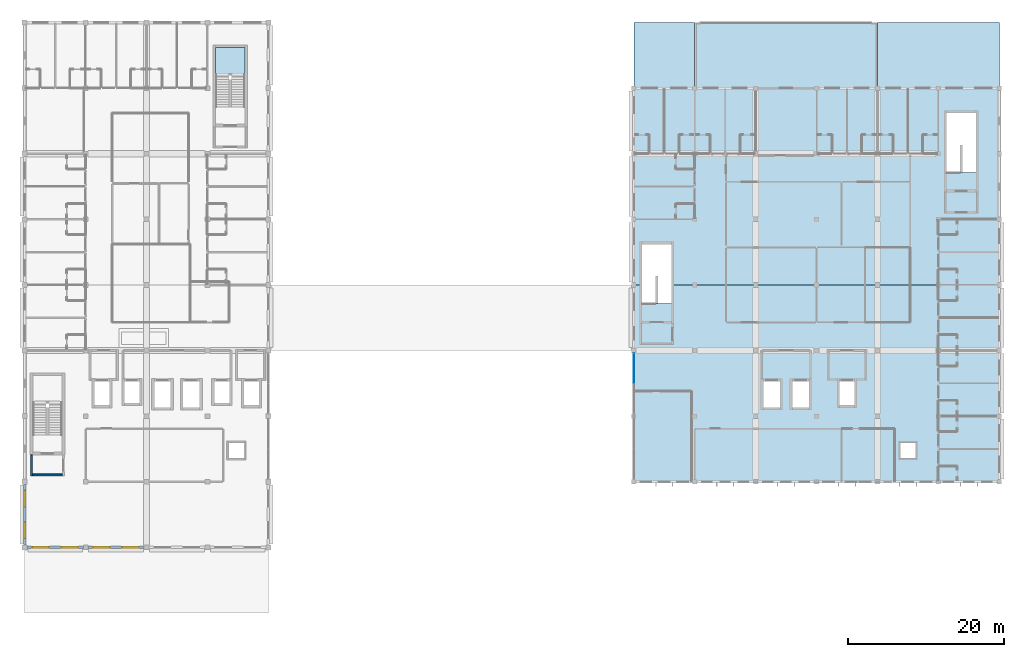
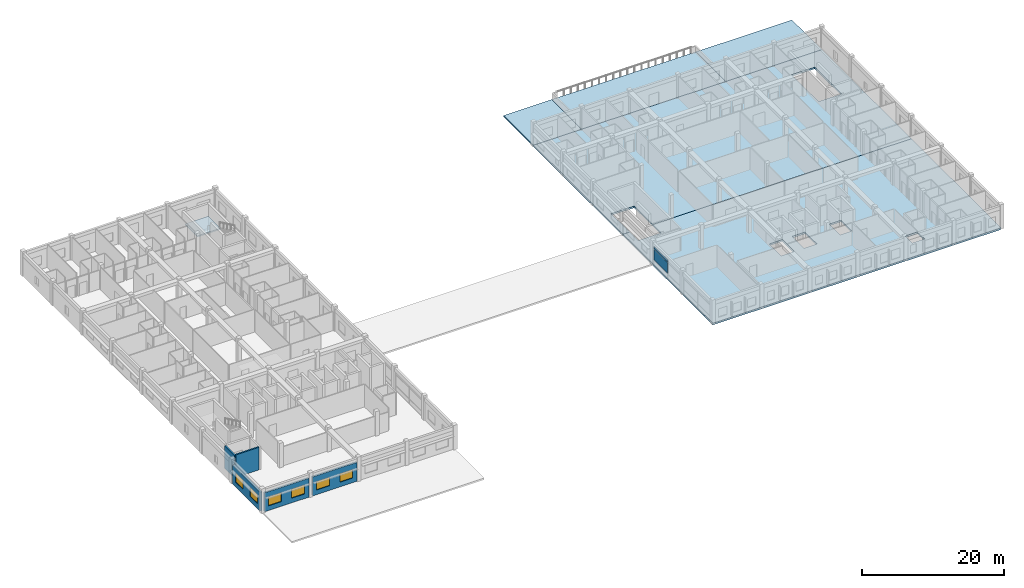
# One storey, part 12 of 32: 6 slabs, 6 windows, 5 walls, 2 plates, 6 openings, 2 elements without a shape of their own.
"""IFC4 building model written with IfcOpenShell, lengths in metres."""

from ifc_helpers import new_model, si_unit, direction, frame, frame_2d, origin, origin_2d, place, context, subcontext, project, spatial, polyline, rectangle, outline, extrude, material, layer, layer_set, type_object, element, fill, aggregate, save


model = new_model("IFC4")

# Units and contexts
model_context = context("Model", 3, precision=1e-05, world=origin(), true_north=direction((0.0, 1.0)))
body_context = subcontext(model_context, "Body", "Model", "MODEL_VIEW")
ifc_project = project(units=[si_unit("LENGTHUNIT", "METRE"), si_unit("AREAUNIT", "SQUARE_METRE"), si_unit("VOLUMEUNIT", "CUBIC_METRE"), si_unit("PLANEANGLEUNIT", "RADIAN"), si_unit("MASSUNIT", "GRAM", prefix="KILO"), si_unit("THERMODYNAMICTEMPERATUREUNIT", "KELVIN"), si_unit("POWERUNIT", "WATT")], contexts=[model_context])

# Site, building, storey
site_placement = place(None, origin())
site = spatial("IfcSite", under=ifc_project, at=site_placement, CompositionType="ELEMENT")
building_placement = place(site_placement, origin())
building = spatial("IfcBuilding", under=site, at=building_placement, Name="Srebrne Nadtorze General Hospital", CompositionType="ELEMENT")
storey_placement = place(building_placement, frame((0.0, 0.0, 29.699951171875)))
storey = spatial("IfcBuildingStorey", under=building, at=storey_placement, Name="L07", CompositionType="ELEMENT", Elevation=29.699951171875)

# Curtain wall, plates
ifc_material_1 = material(Name="Anodised Aluminium", Category="aluminium")
curtain_wall_type = type_object("IfcCurtainWallType", Name="Unitised curtain wall 7800x3250", PredefinedType="NOTDEFINED", material=ifc_material_1)
curtain_wall_placement = place(storey_placement, origin())
curtain_wall = element("IfcCurtainWall", 1, at=curtain_wall_placement, inside=storey, type_object=curtain_wall_type, Name="Curtain wall CW-157", PredefinedType="NOTDEFINED")
ifc_material_2 = material(Name="Triple Low-E Glazing", Category="glass")
ifc_layer_1 = layer(ifc_material_2, 0.050048828125)
ifc_layer_set_1 = layer_set([ifc_layer_1], Name="Triple Low-E Glazing")
plate_type = type_object("IfcPlateType", Name="Glazed curtain panel 50", PredefinedType="CURTAIN_PANEL", material=ifc_layer_set_1)
plate_1_placement = place(storey_placement, frame((101.39990234375, 48.1337890625, 0.882568359375), z_axis=(0.0, 0.0, 1.0), x_axis=(0.0, 1.0, 0.0)))
plate_1 = element("IfcPlate", 2, at=plate_1_placement, type_object=plate_type, Name="CW-157 panel 2.2", PredefinedType="CURTAIN_PANEL", context=body_context, shape_type="SweptSolid", body=[
    extrude(rectangle(XDim=3.802490234375, YDim=0.050048828125, at=origin_2d()), origin(), (0.0, 0.0, 1.0), 1.8349609375),
])
plate_2_placement = place(storey_placement, frame((101.39990234375, 48.1337890625, 2.78271484375), z_axis=(0.0, 0.0, 1.0), x_axis=(0.0, 1.0, 0.0)))
plate_2 = element("IfcPlate", 3, at=plate_2_placement, type_object=plate_type, Name="CW-157 panel 2.3", PredefinedType="CURTAIN_PANEL", context=body_context, shape_type="SweptSolid", body=[
    extrude(rectangle(XDim=3.802490234375, YDim=0.050048828125, at=origin_2d()), origin(), (0.0, 0.0, 1.0), 0.402587890625),
])
aggregate(curtain_wall, [plate_1, plate_2])

# Slabs
ifc_material_3 = material(Name="Concrete C35/45", Category="concrete")
ifc_layer_2 = layer(ifc_material_3, 0.27001953125)
ifc_layer_set_2 = layer_set([ifc_layer_2], Name="Concrete C35/45")
slab_type_1 = type_object("IfcSlabType", Name="Main roof slab 270", PredefinedType="ROOF", material=ifc_layer_set_2)
slab_1_placement = place(storey_placement, frame((0.0, 0.0, -0.27001953125)))
element("IfcSlab", 4, at=slab_1_placement, inside=storey, type_object=slab_type_1, Name="Volume ceiling roof slab RF-L06-01", PredefinedType="ROOF", context=body_context, shape_type="SweptSolid", body=[
    extrude(outline(polyline([(101.39990234375, 92.39990234375), (101.39990234375, 84.0), (109.199951171875, 84.0), (109.199951171875, 92.39990234375), (101.39990234375, 92.39990234375)])), origin(), (0.0, 0.0, 1.0), 0.27001953125),
])
slab_2_placement = place(storey_placement, frame((0.0, 0.0, -0.27001953125)))
element("IfcSlab", 5, at=slab_2_placement, inside=storey, type_object=slab_type_1, Name="Volume ceiling roof slab RF-L06-02", PredefinedType="ROOF", context=body_context, shape_type="SweptSolid", body=[
    extrude(outline(polyline([(132.60009765625, 92.39990234375), (132.60009765625, 84.0), (148.199951171875, 84.0), (148.199951171875, 92.39990234375), (132.60009765625, 92.39990234375)])), origin(), (0.0, 0.0, 1.0), 0.27001953125),
])

# Stair, slab
ifc_material_4 = material(Name="Concrete C35/45", Category="concrete")
stair_type = type_object("IfcStairType", Name="Dog-leg escape stair 420", PredefinedType="HALF_TURN_STAIR", material=ifc_material_4)
stair_placement = place(storey_placement, origin())
stair = element("IfcStair", 6, at=stair_placement, inside=storey, type_object=stair_type, Name="Escape stair ST-02-L07", PredefinedType="HALF_TURN_STAIR")
ifc_material_5 = material(Name="Concrete C35/45", Category="concrete")
ifc_layer_3 = layer(ifc_material_5, 0.219970703125)
ifc_layer_set_3 = layer_set([ifc_layer_3], Name="Concrete C35/45")
slab_type_2 = type_object("IfcSlabType", Name="Stair landing slab 220", PredefinedType="LANDING", material=ifc_layer_set_3)
slab_3_placement = place(storey_placement, frame((0.0, 0.0, 1.880126953125)))
slab_3 = element("IfcSlab", 7, at=slab_3_placement, type_object=slab_type_2, Name="ST-02 landing 1", PredefinedType="LANDING", context=body_context, shape_type="SweptSolid", body=[
    extrude(outline(polyline([(47.85009765625, 85.760009765625), (51.60009765625, 85.760009765625), (51.60009765625, 89.199951171875), (47.85009765625, 89.199951171875), (47.85009765625, 85.760009765625)])), origin(), (0.0, 0.0, 1.0), 0.219970703125),
])
aggregate(stair, [slab_3])

# Slabs
ifc_material_6 = material(Name="Concrete C35/45", Category="concrete")
ifc_layer_4 = layer(ifc_material_6, 0.300048828125)
ifc_layer_set_4 = layer_set([ifc_layer_4], Name="Concrete C35/45")
slab_type_3 = type_object("IfcSlabType", Name="Suspended floor slab 300", PredefinedType="FLOOR", material=ifc_layer_set_4)
slab_4_placement = place(storey_placement, frame((0.0, 0.0, -0.300048828125)))
element("IfcSlab", 8, at=slab_4_placement, inside=storey, type_object=slab_type_3, Name="Suspended floor slab SL-L07-ES", PredefinedType="FLOOR", context=body_context, shape_type="SweptSolid", body=[
    extrude(outline(polyline([(106.199951171875, 58.800048828125), (106.199951171875, 56.405029296875), (102.449951171875, 56.405029296875), (102.449951171875, 58.800048828125), (101.39990234375, 58.800048828125), (101.39990234375, 33.60009765625), (148.199951171875, 33.60009765625), (148.199951171875, 58.800048828125), (106.199951171875, 58.800048828125)]), holes=[polyline([(137.5, 36.60009765625), (135.5, 36.60009765625), (135.5, 38.60009765625), (137.5, 38.60009765625), (137.5, 36.60009765625)]), polyline([(120.10009765625, 43.110107421875), (118.0, 43.110107421875), (118.0, 46.4599609375), (120.10009765625, 46.4599609375), (120.10009765625, 43.110107421875)]), polyline([(123.800048828125, 43.110107421875), (121.699951171875, 43.110107421875), (121.699951171875, 46.4599609375), (123.800048828125, 46.4599609375), (123.800048828125, 43.110107421875)]), polyline([(129.64990234375, 43.409912109375), (127.75, 43.409912109375), (127.75, 46.4599609375), (129.64990234375, 46.4599609375), (129.64990234375, 43.409912109375)])]), origin(), (0.0, 0.0, 1.0), 0.300048828125),
])
slab_5_placement = place(storey_placement, frame((0.0, 0.0, -0.300048828125)))
element("IfcSlab", 9, at=slab_5_placement, inside=storey, type_object=slab_type_3, Name="Suspended floor slab SL-L07-EN", PredefinedType="FLOOR", context=body_context, shape_type="SweptSolid", body=[
    extrude(outline(polyline([(102.449951171875, 58.800048828125), (102.449951171875, 64.0), (106.199951171875, 64.0), (106.199951171875, 58.800048828125), (148.199951171875, 58.800048828125), (148.199951171875, 84.0), (101.39990234375, 84.0), (101.39990234375, 58.800048828125), (102.449951171875, 58.800048828125)]), holes=[polyline([(145.199951171875, 73.205078125), (141.449951171875, 73.205078125), (141.449951171875, 80.800048828125), (145.199951171875, 80.800048828125), (145.199951171875, 73.205078125)])]), origin(), (0.0, 0.0, 1.0), 0.300048828125),
])
ifc_material_7 = material(Name="Concrete C35/45", Category="concrete")
ifc_layer_5 = layer(ifc_material_7, 0.22998046875)
ifc_layer_set_5 = layer_set([ifc_layer_5], Name="Concrete C35/45")
slab_type_4 = type_object("IfcSlabType", Name="Terrace slab 230", PredefinedType="FLOOR", material=ifc_layer_set_5)
slab_6_placement = place(storey_placement, frame((0.0, 0.0, -0.22998046875)))
element("IfcSlab", 10, at=slab_6_placement, inside=storey, type_object=slab_type_4, Name="Therapeutic Terrace slab TR-L07-E", PredefinedType="FLOOR", context=body_context, shape_type="SweptSolid", body=[
    extrude(outline(polyline([(109.199951171875, 84.0), (132.60009765625, 84.0), (132.60009765625, 92.39990234375), (109.199951171875, 92.39990234375), (109.199951171875, 84.0)])), origin(), (0.0, 0.0, 1.0), 0.22998046875),
])

# Walls
ifc_material_8 = material(Name="Gypsum Healthcare Partition")
ifc_layer_6 = layer(ifc_material_8, 0.239990234375)
ifc_layer_set_6 = layer_set([ifc_layer_6], Name="Gypsum Healthcare Partition")
wall_type_1 = type_object("IfcWallType", Name="Corridor fire wall 240", PredefinedType="STANDARD", material=ifc_layer_set_6)
wall_1_placement = place(storey_placement, frame((24.27490234375, 34.35498046875, 0.0), z_axis=(0.0, 0.0, 1.0), x_axis=(0.0, 1.0, 0.0)))
element("IfcWall", 11, at=wall_1_placement, inside=storey, type_object=wall_type_1, Name="Fire lobby wall ST-01 WL-INT-L07-0413", PredefinedType="STANDARD", context=body_context, shape_type="SweptSolid", body=[
    extrude(rectangle(XDim=2.695068359375, YDim=0.239990234375, at=frame_2d((1.34765625, 0.0))), origin(), (0.0, 0.0, 1.0), 3.900146484375),
])
wall_2_placement = place(storey_placement, frame((24.449951171875, 34.47509765625, 0.0), z_axis=(0.0, 0.0, 1.0), x_axis=(1.0, 0.0, 0.0)))
element("IfcWall", 12, at=wall_2_placement, inside=storey, type_object=wall_type_1, Name="Fire lobby entry wall ST-01 WL-INT-L07-0415", PredefinedType="STANDARD", context=body_context, shape_type="SweptSolid", body=[
    extrude(rectangle(XDim=3.75, YDim=0.239990234375, at=frame_2d((1.875, 0.0))), origin(), (0.0, 0.0, 1.0), 3.900146484375),
])

# Wall, openings, windows
ifc_material_9 = material(Name="Concrete C35/45 precast", Category="concrete")
ifc_layer_7 = layer(ifc_material_9, 0.280029296875)
ifc_layer_set_7 = layer_set([ifc_layer_7], Name="Concrete C35/45 precast")
wall_type_2 = type_object("IfcWallType", Name="Spandrel wall 280", PredefinedType="STANDARD", material=ifc_layer_set_7)
wall_3_placement = place(storey_placement, frame((23.72509765625, 25.199951171875, 0.0), z_axis=(0.0, 0.0, 1.0), x_axis=(1.0, 0.0, 0.0)))
wall_3 = element("IfcWall", 13, at=wall_3_placement, inside=storey, type_object=wall_type_2, Name="Exterior wall WL-ENV-L07-0506", PredefinedType="STANDARD", context=body_context, shape_type="SweptSolid", body=[
    extrude(rectangle(XDim=7.1748046875, YDim=0.280029296875, at=frame_2d((3.58740234375, 0.0))), origin(), (0.0, 0.0, 1.0), 3.25),
])
opening_1_placement = place(wall_3_placement, frame((0.653076171875, 0.0, 0.800048828125)))
opening_1 = element("IfcOpeningElement", 14, at=opening_1_placement, cuts=wall_3, Name="Opening WN-L07-0840", PredefinedType="OPENING", context=body_context, shape_type="SweptSolid", body=[
    extrude(rectangle(XDim=2.10009765625, YDim=1.550048828125, at=frame_2d((1.050048828125, 0.77490234375))), frame((0.0, 0.15185546875, 0.0), z_axis=(0.0, -1.0, 0.0), x_axis=(1.0, 0.0, 0.0)), (0.0, 0.0, 1.0), 0.303955078125),
])
opening_2_placement = place(wall_3_placement, frame((4.39697265625, 0.0, 0.800048828125)))
opening_2 = element("IfcOpeningElement", 15, at=opening_2_placement, cuts=wall_3, Name="Opening WN-L07-0841", PredefinedType="OPENING", context=body_context, shape_type="SweptSolid", body=[
    extrude(rectangle(XDim=2.10009765625, YDim=1.550048828125, at=frame_2d((1.050048828125, 0.77490234375))), frame((0.0, 0.15185546875, 0.0), z_axis=(0.0, -1.0, 0.0), x_axis=(1.0, 0.0, 0.0)), (0.0, 0.0, 1.0), 0.303955078125),
])
ifc_material_10 = material(Name="Triple Low-E Glazing", Category="glass")
window_type_1 = type_object("IfcWindowType", Name="Punched clinical window 2100x1550", PartitioningType="DOUBLE_PANEL_VERTICAL", PredefinedType="WINDOW", material=ifc_material_10)
window_1_placement = place(opening_1_placement, origin())
window_1 = element("IfcWindow", 16, at=window_1_placement, inside=storey, type_object=window_type_1, Name="Clinical window WN-L07-0840", OverallHeight=1.550048828125, OverallWidth=2.10009765625, PartitioningType="DOUBLE_PANEL_VERTICAL", PredefinedType="WINDOW", context=body_context, shape_type="SweptSolid", body=[
    extrude(rectangle(XDim=2.10009765625, YDim=1.550048828125, at=frame_2d((1.050048828125, 0.77490234375))), frame((0.0, 0.030029296875, 0.0), z_axis=(0.0, -1.0, 0.0), x_axis=(1.0, 0.0, 0.0)), (0.0, 0.0, 1.0), 0.06005859375),
])
fill(opening_1, window_1)
window_2_placement = place(opening_2_placement, origin())
window_2 = element("IfcWindow", 17, at=window_2_placement, inside=storey, type_object=window_type_1, Name="Clinical window WN-L07-0841", OverallHeight=1.550048828125, OverallWidth=2.10009765625, PartitioningType="DOUBLE_PANEL_VERTICAL", PredefinedType="WINDOW", context=body_context, shape_type="SweptSolid", body=[
    extrude(rectangle(XDim=2.10009765625, YDim=1.550048828125, at=frame_2d((1.050048828125, 0.77490234375))), frame((0.0, 0.030029296875, 0.0), z_axis=(0.0, -1.0, 0.0), x_axis=(1.0, 0.0, 0.0)), (0.0, 0.0, 1.0), 0.06005859375),
])
fill(opening_2, window_2)

wall_4_placement = place(storey_placement, frame((31.5, 25.199951171875, 0.0), z_axis=(0.0, 0.0, 1.0), x_axis=(1.0, 0.0, 0.0)))
wall_4 = element("IfcWall", 18, at=wall_4_placement, inside=storey, type_object=wall_type_2, Name="Exterior wall WL-ENV-L07-0507", PredefinedType="STANDARD", context=body_context, shape_type="SweptSolid", body=[
    extrude(rectangle(XDim=7.199951171875, YDim=0.280029296875, at=frame_2d((3.60009765625, 0.0))), origin(), (0.0, 0.0, 1.0), 3.25),
])
opening_3_placement = place(wall_4_placement, frame((0.677978515625, 0.0, 0.800048828125)))
opening_3 = element("IfcOpeningElement", 19, at=opening_3_placement, cuts=wall_4, Name="Opening WN-L07-0842", PredefinedType="OPENING", context=body_context, shape_type="SweptSolid", body=[
    extrude(rectangle(XDim=2.10009765625, YDim=1.449951171875, at=frame_2d((1.050048828125, 0.72509765625))), frame((0.0, 0.15185546875, 0.0), z_axis=(0.0, -1.0, 0.0), x_axis=(1.0, 0.0, 0.0)), (0.0, 0.0, 1.0), 0.303955078125),
])
opening_4_placement = place(wall_4_placement, frame((4.422119140625, 0.0, 0.800048828125)))
opening_4 = element("IfcOpeningElement", 20, at=opening_4_placement, cuts=wall_4, Name="Opening WN-L07-0843", PredefinedType="OPENING", context=body_context, shape_type="SweptSolid", body=[
    extrude(rectangle(XDim=2.10009765625, YDim=1.449951171875, at=frame_2d((1.050048828125, 0.72509765625))), frame((0.0, 0.15185546875, 0.0), z_axis=(0.0, -1.0, 0.0), x_axis=(1.0, 0.0, 0.0)), (0.0, 0.0, 1.0), 0.303955078125),
])
ifc_material_11 = material(Name="Triple Low-E Glazing", Category="glass")
window_type_2 = type_object("IfcWindowType", Name="Punched clinical window 2100x1450", PartitioningType="DOUBLE_PANEL_VERTICAL", PredefinedType="WINDOW", material=ifc_material_11)
window_3_placement = place(opening_3_placement, origin())
window_3 = element("IfcWindow", 21, at=window_3_placement, inside=storey, type_object=window_type_2, Name="Clinical window WN-L07-0842", OverallHeight=1.449951171875, OverallWidth=2.10009765625, PartitioningType="DOUBLE_PANEL_VERTICAL", PredefinedType="WINDOW", context=body_context, shape_type="SweptSolid", body=[
    extrude(rectangle(XDim=2.10009765625, YDim=1.449951171875, at=frame_2d((1.050048828125, 0.72509765625))), frame((0.0, 0.030029296875, 0.0), z_axis=(0.0, -1.0, 0.0), x_axis=(1.0, 0.0, 0.0)), (0.0, 0.0, 1.0), 0.06005859375),
])
fill(opening_3, window_3)
window_4_placement = place(opening_4_placement, origin())
window_4 = element("IfcWindow", 22, at=window_4_placement, inside=storey, type_object=window_type_2, Name="Clinical window WN-L07-0843", OverallHeight=1.449951171875, OverallWidth=2.10009765625, PartitioningType="DOUBLE_PANEL_VERTICAL", PredefinedType="WINDOW", context=body_context, shape_type="SweptSolid", body=[
    extrude(rectangle(XDim=2.10009765625, YDim=1.449951171875, at=frame_2d((1.050048828125, 0.72509765625))), frame((0.0, 0.030029296875, 0.0), z_axis=(0.0, -1.0, 0.0), x_axis=(1.0, 0.0, 0.0)), (0.0, 0.0, 1.0), 0.06005859375),
])
fill(opening_4, window_4)

wall_5_placement = place(storey_placement, frame((23.39990234375, 25.52490234375, 0.0), z_axis=(0.0, 0.0, 1.0), x_axis=(0.0, 1.0, 0.0)))
wall_5 = element("IfcWall", 23, at=wall_5_placement, inside=storey, type_object=wall_type_2, Name="Exterior wall WL-ENV-L07-0526", PredefinedType="STANDARD", context=body_context, shape_type="SweptSolid", body=[
    extrude(rectangle(XDim=7.75, YDim=0.280029296875, at=frame_2d((3.875, 0.0))), origin(), (0.0, 0.0, 1.0), 3.25),
])
opening_5_placement = place(wall_5_placement, frame((0.80908203125, 0.0, 0.800048828125)))
opening_5 = element("IfcOpeningElement", 24, at=opening_5_placement, cuts=wall_5, Name="Opening WN-L07-0884", PredefinedType="OPENING", context=body_context, shape_type="SweptSolid", body=[
    extrude(rectangle(XDim=2.10009765625, YDim=1.550048828125, at=frame_2d((1.050048828125, 0.77490234375))), frame((0.0, 0.15185546875, 0.0), z_axis=(0.0, -1.0, 0.0), x_axis=(1.0, 0.0, 0.0)), (0.0, 0.0, 1.0), 0.303955078125),
])
opening_6_placement = place(wall_5_placement, frame((4.841064453125, 0.0, 0.800048828125)))
opening_6 = element("IfcOpeningElement", 25, at=opening_6_placement, cuts=wall_5, Name="Opening WN-L07-0885", PredefinedType="OPENING", context=body_context, shape_type="SweptSolid", body=[
    extrude(rectangle(XDim=2.10009765625, YDim=1.550048828125, at=frame_2d((1.050048828125, 0.77490234375))), frame((0.0, 0.15185546875, 0.0), z_axis=(0.0, -1.0, 0.0), x_axis=(1.0, 0.0, 0.0)), (0.0, 0.0, 1.0), 0.303955078125),
])
window_5_placement = place(opening_5_placement, origin())
window_5 = element("IfcWindow", 26, at=window_5_placement, inside=storey, type_object=window_type_1, Name="Clinical window WN-L07-0884", OverallHeight=1.550048828125, OverallWidth=2.10009765625, PartitioningType="DOUBLE_PANEL_VERTICAL", PredefinedType="WINDOW", context=body_context, shape_type="SweptSolid", body=[
    extrude(rectangle(XDim=2.10009765625, YDim=1.550048828125, at=frame_2d((1.050048828125, 0.77490234375))), frame((0.0, 0.030029296875, 0.0), z_axis=(0.0, -1.0, 0.0), x_axis=(1.0, 0.0, 0.0)), (0.0, 0.0, 1.0), 0.06005859375),
])
fill(opening_5, window_5)
window_6_placement = place(opening_6_placement, origin())
window_6 = element("IfcWindow", 27, at=window_6_placement, inside=storey, type_object=window_type_1, Name="Clinical window WN-L07-0885", OverallHeight=1.550048828125, OverallWidth=2.10009765625, PartitioningType="DOUBLE_PANEL_VERTICAL", PredefinedType="WINDOW", context=body_context, shape_type="SweptSolid", body=[
    extrude(rectangle(XDim=2.10009765625, YDim=1.550048828125, at=frame_2d((1.050048828125, 0.77490234375))), frame((0.0, 0.030029296875, 0.0), z_axis=(0.0, -1.0, 0.0), x_axis=(1.0, 0.0, 0.0)), (0.0, 0.0, 1.0), 0.06005859375),
])
fill(opening_6, window_6)

save(model, "model.ifc")
